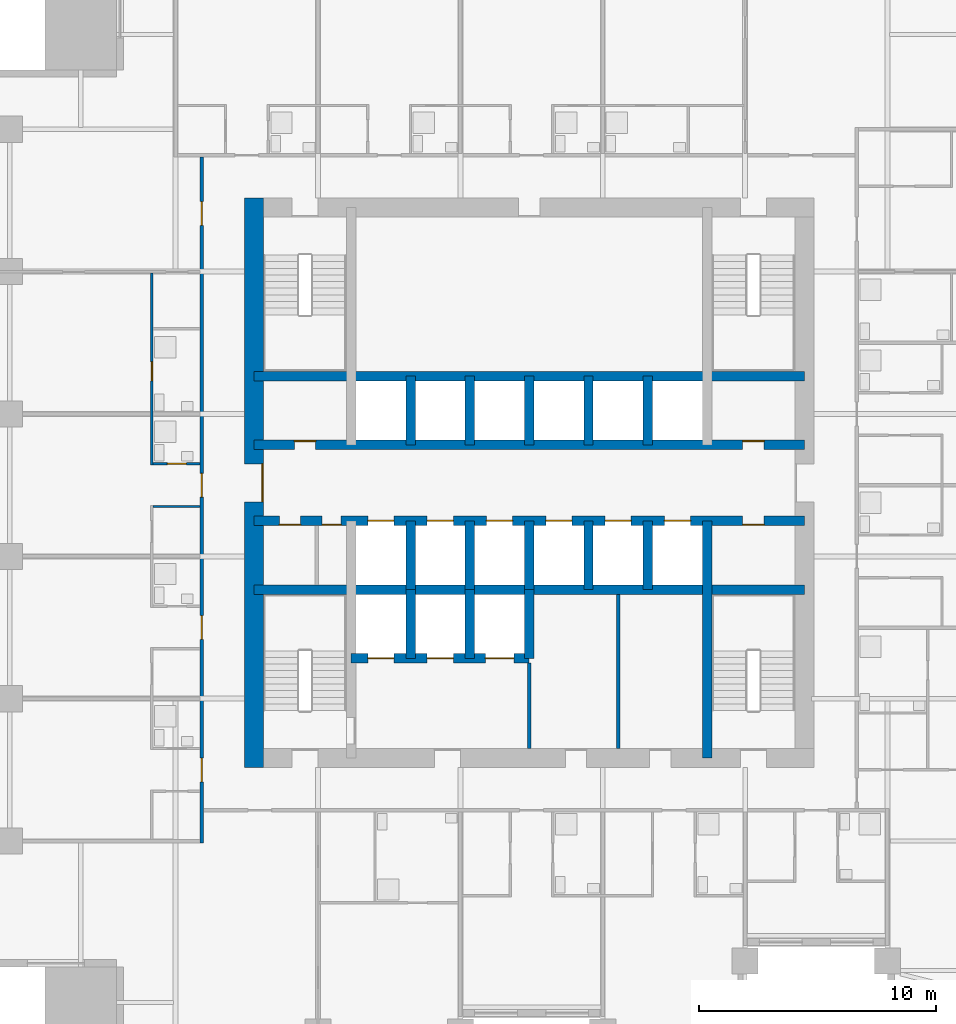
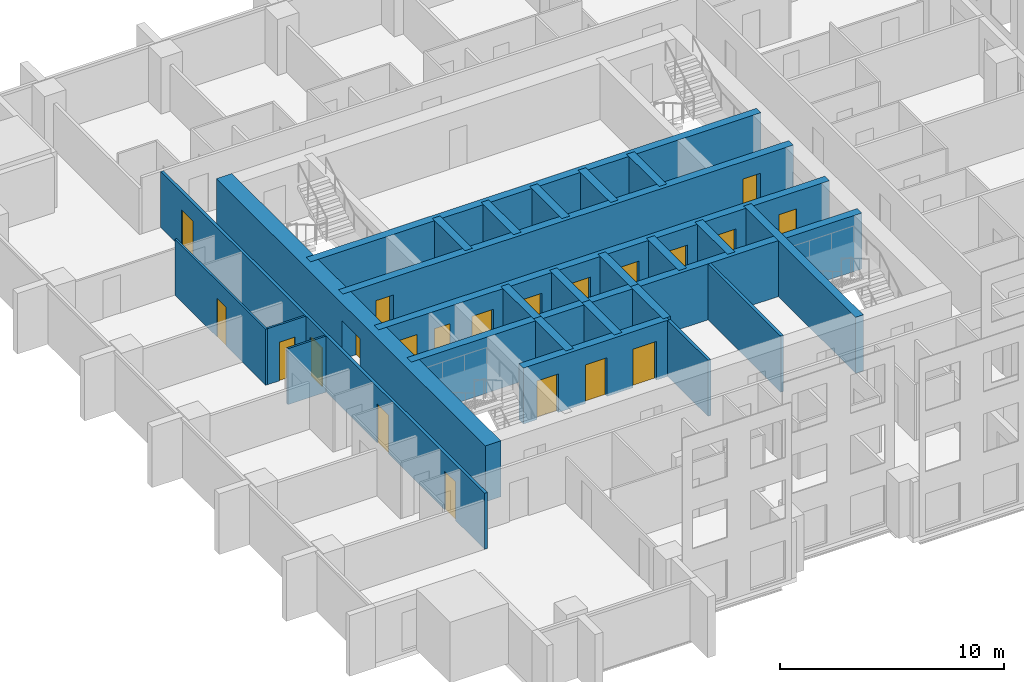
# One storey, part 5 of 12: 26 walls, 21 doors, 21 openings.
"""IFC4 building model written with IfcOpenShell, lengths in metres."""

from ifc_helpers import new_model, si_unit, direction, frame, frame_2d, origin, place, context, subcontext, project, spatial, rectangle, extrude, material, layer, layer_set, type_object, element, fill, save


model = new_model("IFC4")

# Units and contexts
model_context = context("Model", 3, precision=1e-05, world=origin(), true_north=direction((0.0, 1.0)))
body_context = subcontext(model_context, "Body", "Model", "MODEL_VIEW")
ifc_project = project(units=[si_unit("LENGTHUNIT", "METRE"), si_unit("AREAUNIT", "SQUARE_METRE"), si_unit("VOLUMEUNIT", "CUBIC_METRE"), si_unit("PLANEANGLEUNIT", "RADIAN"), si_unit("MASSUNIT", "GRAM", prefix="KILO")], contexts=[model_context])

# Site, building, storey
site_placement = place(None, origin())
site = spatial("IfcSite", under=ifc_project, at=site_placement, CompositionType="ELEMENT")
building_placement = place(site_placement, origin())
building = spatial("IfcBuilding", under=site, at=building_placement, Name="Amberfall Residences", CompositionType="ELEMENT")
storey_placement = place(building_placement, frame((0.0, 0.0, 88.60009765625)))
storey = spatial("IfcBuildingStorey", under=building, at=storey_placement, Name="L23", CompositionType="ELEMENT", Elevation=88.60009765625)

# Wall
ifc_material_1 = material(Name="Concrete C70", Category="concrete")
ifc_layer_1 = layer(ifc_material_1, 0.39990234375)
ifc_layer_set_1 = layer_set([ifc_layer_1], Name="Core wall 400 C70")
wall_type_1 = type_object("IfcWallType", Name="Core wall 400 C70", PredefinedType="SHEAR", material=ifc_layer_set_1)
wall_1_placement = place(storey_placement, frame((62.89990234375, 41.0, 0.0), z_axis=(0.0, 0.0, 1.0), x_axis=(1.0, 0.0, 0.0)))
element("IfcWall", 1, at=wall_1_placement, inside=storey, type_object=wall_type_1, Name="Core wall RW4 L23 H75", PredefinedType="SHEAR", context=body_context, shape_type="SweptSolid", body=[
    extrude(rectangle(XDim=23.2001953125, YDim=0.39990234375, at=frame_2d((11.60009765625, 0.0))), origin(), (0.0, 0.0, 1.0), 3.0498046875),
])

# Wall, openings, doors
wall_2_placement = place(storey_placement, frame((62.89990234375, 43.89990234375, 0.0), z_axis=(0.0, 0.0, 1.0), x_axis=(1.0, 0.0, 0.0)))
wall_2 = element("IfcWall", 2, at=wall_2_placement, inside=storey, type_object=wall_type_1, Name="Core wall RW4 L23 H104", PredefinedType="SHEAR", context=body_context, shape_type="SweptSolid", body=[
    extrude(rectangle(XDim=23.2001953125, YDim=0.39990234375, at=frame_2d((11.60009765625, 0.0))), origin(), (0.0, 0.0, 1.0), 3.0498046875),
])
opening_1_placement = place(wall_2_placement, frame((1.070068359375, 0.0, 0.0)))
opening_1 = element("IfcOpeningElement", 3, at=opening_1_placement, cuts=wall_2, Name="Opening RD1", PredefinedType="OPENING", context=body_context, shape_type="SweptSolid", body=[
    extrude(rectangle(XDim=0.89990234375, YDim=2.10009765625, at=frame_2d((0.449951171875, 1.050048828125))), frame((0.0, 0.2099609375, 0.0), z_axis=(0.0, -1.0, 0.0), x_axis=(1.0, 0.0, 0.0)), (0.0, 0.0, 1.0), 0.419921875),
])
opening_2_placement = place(wall_2_placement, frame((2.8701171875, 0.0, 0.0)))
opening_2 = element("IfcOpeningElement", 4, at=opening_2_placement, cuts=wall_2, Name="Opening RD2", PredefinedType="OPENING", context=body_context, shape_type="SweptSolid", body=[
    extrude(rectangle(XDim=0.800048828125, YDim=2.10009765625, at=frame_2d((0.39990234375, 1.050048828125))), frame((0.0, 0.2099609375, 0.0), z_axis=(0.0, -1.0, 0.0), x_axis=(1.0, 0.0, 0.0)), (0.0, 0.0, 1.0), 0.419921875),
])
opening_3_placement = place(wall_2_placement, frame((20.60009765625, 0.0, 0.0)))
opening_3 = element("IfcOpeningElement", 5, at=opening_3_placement, cuts=wall_2, Name="Opening RD1", PredefinedType="OPENING", context=body_context, shape_type="SweptSolid", body=[
    extrude(rectangle(XDim=0.89990234375, YDim=2.10009765625, at=frame_2d((0.449951171875, 1.050048828125))), frame((0.0, 0.2099609375, 0.0), z_axis=(0.0, -1.0, 0.0), x_axis=(1.0, 0.0, 0.0)), (0.0, 0.0, 1.0), 0.419921875),
])
opening_4_placement = place(wall_2_placement, frame((4.800048828125, 0.0, 0.0)))
opening_4 = element("IfcOpeningElement", 6, at=opening_4_placement, cuts=wall_2, Name="Opening LD1", PredefinedType="OPENING", context=body_context, shape_type="SweptSolid", body=[
    extrude(rectangle(XDim=1.10009765625, YDim=2.10009765625, at=frame_2d((0.550048828125, 1.050048828125))), frame((0.0, 0.2099609375, 0.0), z_axis=(0.0, -1.0, 0.0), x_axis=(1.0, 0.0, 0.0)), (0.0, 0.0, 1.0), 0.419921875),
])
opening_5_placement = place(wall_2_placement, frame((7.300048828125, 0.0, 0.0)))
opening_5 = element("IfcOpeningElement", 7, at=opening_5_placement, cuts=wall_2, Name="Opening LD1", PredefinedType="OPENING", context=body_context, shape_type="SweptSolid", body=[
    extrude(rectangle(XDim=1.10009765625, YDim=2.10009765625, at=frame_2d((0.550048828125, 1.050048828125))), frame((0.0, 0.2099609375, 0.0), z_axis=(0.0, -1.0, 0.0), x_axis=(1.0, 0.0, 0.0)), (0.0, 0.0, 1.0), 0.419921875),
])
opening_6_placement = place(wall_2_placement, frame((9.800048828125, 0.0, 0.0)))
opening_6 = element("IfcOpeningElement", 8, at=opening_6_placement, cuts=wall_2, Name="Opening LD1", PredefinedType="OPENING", context=body_context, shape_type="SweptSolid", body=[
    extrude(rectangle(XDim=1.10009765625, YDim=2.10009765625, at=frame_2d((0.550048828125, 1.050048828125))), frame((0.0, 0.2099609375, 0.0), z_axis=(0.0, -1.0, 0.0), x_axis=(1.0, 0.0, 0.0)), (0.0, 0.0, 1.0), 0.419921875),
])
opening_7_placement = place(wall_2_placement, frame((12.300048828125, 0.0, 0.0)))
opening_7 = element("IfcOpeningElement", 9, at=opening_7_placement, cuts=wall_2, Name="Opening LD1", PredefinedType="OPENING", context=body_context, shape_type="SweptSolid", body=[
    extrude(rectangle(XDim=1.10009765625, YDim=2.10009765625, at=frame_2d((0.550048828125, 1.050048828125))), frame((0.0, 0.2099609375, 0.0), z_axis=(0.0, -1.0, 0.0), x_axis=(1.0, 0.0, 0.0)), (0.0, 0.0, 1.0), 0.419921875),
])
opening_8_placement = place(wall_2_placement, frame((14.800048828125, 0.0, 0.0)))
opening_8 = element("IfcOpeningElement", 10, at=opening_8_placement, cuts=wall_2, Name="Opening LD1", PredefinedType="OPENING", context=body_context, shape_type="SweptSolid", body=[
    extrude(rectangle(XDim=1.10009765625, YDim=2.10009765625, at=frame_2d((0.550048828125, 1.050048828125))), frame((0.0, 0.2099609375, 0.0), z_axis=(0.0, -1.0, 0.0), x_axis=(1.0, 0.0, 0.0)), (0.0, 0.0, 1.0), 0.419921875),
])
opening_9_placement = place(wall_2_placement, frame((17.300048828125, 0.0, 0.0)))
opening_9 = element("IfcOpeningElement", 11, at=opening_9_placement, cuts=wall_2, Name="Opening LD1", PredefinedType="OPENING", context=body_context, shape_type="SweptSolid", body=[
    extrude(rectangle(XDim=1.10009765625, YDim=2.10009765625, at=frame_2d((0.550048828125, 1.050048828125))), frame((0.0, 0.2099609375, 0.0), z_axis=(0.0, -1.0, 0.0), x_axis=(1.0, 0.0, 0.0)), (0.0, 0.0, 1.0), 0.419921875),
])
ifc_material_2 = material(Name="Steel fire door set", Category="steel")
door_type_1 = type_object("IfcDoorType", Name="Lift landing door 1100 x 2100", OperationType="DOUBLE_DOOR_SLIDING", PredefinedType="DOOR", material=ifc_material_2)
door_1_placement = place(opening_4_placement, origin())
door_1 = element("IfcDoor", 12, at=door_1_placement, inside=storey, type_object=door_type_1, Name="Landing door LP1 L23", OperationType="DOUBLE_DOOR_SLIDING", OverallHeight=2.10009765625, OverallWidth=1.10009765625, PredefinedType="DOOR", context=body_context, shape_type="SweptSolid", body=[
    extrude(rectangle(XDim=1.10009765625, YDim=2.10009765625, at=frame_2d((0.550048828125, 1.050048828125))), frame((0.0, 0.02490234375, 0.0), z_axis=(0.0, -1.0, 0.0), x_axis=(1.0, 0.0, 0.0)), (0.0, 0.0, 1.0), 0.050048828125),
])
fill(opening_4, door_1)
door_2_placement = place(opening_5_placement, origin())
door_2 = element("IfcDoor", 13, at=door_2_placement, inside=storey, type_object=door_type_1, Name="Landing door LP2 L23", OperationType="DOUBLE_DOOR_SLIDING", OverallHeight=2.10009765625, OverallWidth=1.10009765625, PredefinedType="DOOR", context=body_context, shape_type="SweptSolid", body=[
    extrude(rectangle(XDim=1.10009765625, YDim=2.10009765625, at=frame_2d((0.550048828125, 1.050048828125))), frame((0.0, 0.02490234375, 0.0), z_axis=(0.0, -1.0, 0.0), x_axis=(1.0, 0.0, 0.0)), (0.0, 0.0, 1.0), 0.050048828125),
])
fill(opening_5, door_2)
door_3_placement = place(opening_6_placement, origin())
door_3 = element("IfcDoor", 14, at=door_3_placement, inside=storey, type_object=door_type_1, Name="Landing door LP3 L23", OperationType="DOUBLE_DOOR_SLIDING", OverallHeight=2.10009765625, OverallWidth=1.10009765625, PredefinedType="DOOR", context=body_context, shape_type="SweptSolid", body=[
    extrude(rectangle(XDim=1.10009765625, YDim=2.10009765625, at=frame_2d((0.550048828125, 1.050048828125))), frame((0.0, 0.02490234375, 0.0), z_axis=(0.0, -1.0, 0.0), x_axis=(1.0, 0.0, 0.0)), (0.0, 0.0, 1.0), 0.050048828125),
])
fill(opening_6, door_3)
door_4_placement = place(opening_7_placement, origin())
door_4 = element("IfcDoor", 15, at=door_4_placement, inside=storey, type_object=door_type_1, Name="Landing door LP4 L23", OperationType="DOUBLE_DOOR_SLIDING", OverallHeight=2.10009765625, OverallWidth=1.10009765625, PredefinedType="DOOR", context=body_context, shape_type="SweptSolid", body=[
    extrude(rectangle(XDim=1.10009765625, YDim=2.10009765625, at=frame_2d((0.550048828125, 1.050048828125))), frame((0.0, 0.02490234375, 0.0), z_axis=(0.0, -1.0, 0.0), x_axis=(1.0, 0.0, 0.0)), (0.0, 0.0, 1.0), 0.050048828125),
])
fill(opening_7, door_4)
door_5_placement = place(opening_8_placement, origin())
door_5 = element("IfcDoor", 16, at=door_5_placement, inside=storey, type_object=door_type_1, Name="Landing door LP5 L23", OperationType="DOUBLE_DOOR_SLIDING", OverallHeight=2.10009765625, OverallWidth=1.10009765625, PredefinedType="DOOR", context=body_context, shape_type="SweptSolid", body=[
    extrude(rectangle(XDim=1.10009765625, YDim=2.10009765625, at=frame_2d((0.550048828125, 1.050048828125))), frame((0.0, 0.02490234375, 0.0), z_axis=(0.0, -1.0, 0.0), x_axis=(1.0, 0.0, 0.0)), (0.0, 0.0, 1.0), 0.050048828125),
])
fill(opening_8, door_5)
door_6_placement = place(opening_9_placement, origin())
door_6 = element("IfcDoor", 17, at=door_6_placement, inside=storey, type_object=door_type_1, Name="Landing door LP6 L23", OperationType="DOUBLE_DOOR_SLIDING", OverallHeight=2.10009765625, OverallWidth=1.10009765625, PredefinedType="DOOR", context=body_context, shape_type="SweptSolid", body=[
    extrude(rectangle(XDim=1.10009765625, YDim=2.10009765625, at=frame_2d((0.550048828125, 1.050048828125))), frame((0.0, 0.02490234375, 0.0), z_axis=(0.0, -1.0, 0.0), x_axis=(1.0, 0.0, 0.0)), (0.0, 0.0, 1.0), 0.050048828125),
])
fill(opening_9, door_6)
door_type_2 = type_object("IfcDoorType", Name="Service room door 800 x 2100", OperationType="SINGLE_SWING_LEFT", PredefinedType="DOOR", material=ifc_material_2)
door_7_placement = place(opening_2_placement, origin())
door_7 = element("IfcDoor", 18, at=door_7_placement, inside=storey, type_object=door_type_2, Name="RD2 L23", OperationType="SINGLE_SWING_RIGHT", OverallHeight=2.10009765625, OverallWidth=0.800048828125, PredefinedType="DOOR", context=body_context, shape_type="SweptSolid", body=[
    extrude(rectangle(XDim=0.800048828125, YDim=2.10009765625, at=frame_2d((0.39990234375, 1.050048828125))), frame((0.0, -0.1376953125, 0.0), z_axis=(0.0, -1.0, 0.0), x_axis=(1.0, 0.0, 0.0)), (0.0, 0.0, 1.0), 0.050048828125),
])
fill(opening_2, door_7)
door_type_3 = type_object("IfcDoorType", Name="Service room door 900 x 2100", OperationType="SINGLE_SWING_LEFT", PredefinedType="DOOR", material=ifc_material_2)
door_8_placement = place(opening_1_placement, origin())
door_8 = element("IfcDoor", 19, at=door_8_placement, inside=storey, type_object=door_type_3, Name="RD1 L23", OperationType="SINGLE_SWING_LEFT", OverallHeight=2.10009765625, OverallWidth=0.89990234375, PredefinedType="DOOR", context=body_context, shape_type="SweptSolid", body=[
    extrude(rectangle(XDim=0.89990234375, YDim=2.10009765625, at=frame_2d((0.449951171875, 1.050048828125))), frame((0.0, -0.1376953125, 0.0), z_axis=(0.0, -1.0, 0.0), x_axis=(1.0, 0.0, 0.0)), (0.0, 0.0, 1.0), 0.050048828125),
])
fill(opening_1, door_8)
door_9_placement = place(opening_3_placement, origin())
door_9 = element("IfcDoor", 20, at=door_9_placement, inside=storey, type_object=door_type_3, Name="RD1 L23", OperationType="SINGLE_SWING_LEFT", OverallHeight=2.10009765625, OverallWidth=0.89990234375, PredefinedType="DOOR", context=body_context, shape_type="SweptSolid", body=[
    extrude(rectangle(XDim=0.89990234375, YDim=2.10009765625, at=frame_2d((0.449951171875, 1.050048828125))), frame((0.0, -0.1376953125, 0.0), z_axis=(0.0, -1.0, 0.0), x_axis=(1.0, 0.0, 0.0)), (0.0, 0.0, 1.0), 0.050048828125),
])
fill(opening_3, door_9)

wall_3_placement = place(storey_placement, frame((62.89990234375, 47.10009765625, 0.0), z_axis=(0.0, 0.0, 1.0), x_axis=(1.0, 0.0, 0.0)))
wall_3 = element("IfcWall", 21, at=wall_3_placement, inside=storey, type_object=wall_type_1, Name="Core wall RW4 L23 H136", PredefinedType="SHEAR", context=body_context, shape_type="SweptSolid", body=[
    extrude(rectangle(XDim=23.2001953125, YDim=0.39990234375, at=frame_2d((11.60009765625, 0.0))), origin(), (0.0, 0.0, 1.0), 3.0498046875),
])
opening_10_placement = place(wall_3_placement, frame((1.699951171875, 0.0, 0.0)))
opening_10 = element("IfcOpeningElement", 22, at=opening_10_placement, cuts=wall_3, Name="Opening RD1", PredefinedType="OPENING", context=body_context, shape_type="SweptSolid", body=[
    extrude(rectangle(XDim=0.89990234375, YDim=2.10009765625, at=frame_2d((0.449951171875, 1.050048828125))), frame((0.0, 0.2099609375, 0.0), z_axis=(0.0, -1.0, 0.0), x_axis=(1.0, 0.0, 0.0)), (0.0, 0.0, 1.0), 0.419921875),
])
opening_11_placement = place(wall_3_placement, frame((20.60009765625, 0.0, 0.0)))
opening_11 = element("IfcOpeningElement", 23, at=opening_11_placement, cuts=wall_3, Name="Opening RD1", PredefinedType="OPENING", context=body_context, shape_type="SweptSolid", body=[
    extrude(rectangle(XDim=0.89990234375, YDim=2.10009765625, at=frame_2d((0.449951171875, 1.050048828125))), frame((0.0, 0.2099609375, 0.0), z_axis=(0.0, -1.0, 0.0), x_axis=(1.0, 0.0, 0.0)), (0.0, 0.0, 1.0), 0.419921875),
])
door_10_placement = place(opening_10_placement, origin())
door_10 = element("IfcDoor", 24, at=door_10_placement, inside=storey, type_object=door_type_3, Name="RD1 L23", OperationType="SINGLE_SWING_LEFT", OverallHeight=2.10009765625, OverallWidth=0.89990234375, PredefinedType="DOOR", context=body_context, shape_type="SweptSolid", body=[
    extrude(rectangle(XDim=0.89990234375, YDim=2.10009765625, at=frame_2d((0.449951171875, 1.050048828125))), frame((0.0, 0.1875, 0.0), z_axis=(0.0, -1.0, 0.0), x_axis=(1.0, 0.0, 0.0)), (0.0, 0.0, 1.0), 0.050048828125),
])
fill(opening_10, door_10)
door_11_placement = place(opening_11_placement, origin())
door_11 = element("IfcDoor", 25, at=door_11_placement, inside=storey, type_object=door_type_3, Name="RD1 L23", OperationType="SINGLE_SWING_LEFT", OverallHeight=2.10009765625, OverallWidth=0.89990234375, PredefinedType="DOOR", context=body_context, shape_type="SweptSolid", body=[
    extrude(rectangle(XDim=0.89990234375, YDim=2.10009765625, at=frame_2d((0.449951171875, 1.050048828125))), frame((0.0, 0.1875, 0.0), z_axis=(0.0, -1.0, 0.0), x_axis=(1.0, 0.0, 0.0)), (0.0, 0.0, 1.0), 0.050048828125),
])
fill(opening_11, door_11)

# Walls
wall_4_placement = place(storey_placement, frame((62.89990234375, 50.0, 0.0), z_axis=(0.0, 0.0, 1.0), x_axis=(1.0, 0.0, 0.0)))
element("IfcWall", 26, at=wall_4_placement, inside=storey, type_object=wall_type_1, Name="Core wall RW4 L23 H165", PredefinedType="SHEAR", context=body_context, shape_type="SweptSolid", body=[
    extrude(rectangle(XDim=23.2001953125, YDim=0.39990234375, at=frame_2d((11.60009765625, 0.0))), origin(), (0.0, 0.0, 1.0), 3.0498046875),
])
wall_5_placement = place(storey_placement, frame((82.0, 33.89990234375, 0.0), z_axis=(0.0, 0.0, 1.0), x_axis=(0.0, 1.0, 0.0)))
element("IfcWall", 27, at=wall_5_placement, inside=storey, type_object=wall_type_1, Name="Core wall RW4 L23 V195S", PredefinedType="SHEAR", context=body_context, shape_type="SweptSolid", body=[
    extrude(rectangle(XDim=10.0, YDim=0.39990234375, at=frame_2d((5.0, 0.0))), origin(), (0.0, 0.0, 1.0), 3.0498046875),
])
for number, where, z_axis, x_axis, name in (
    (28, (69.5, 41.0, 0.0), (0.0, 0.0, 1.0), (0.0, 1.0, 0.0), "Core wall RW4 L23 LPD1"),
    (29, (69.5, 47.10009765625, 0.0), (0.0, 0.0, 1.0), (0.0, 1.0, 0.0), "Core wall RW4 L23 HPD1"),
    (30, (72.0, 41.0, 0.0), (0.0, 0.0, 1.0), (0.0, 1.0, 0.0), "Core wall RW4 L23 LPD2"),
    (31, (72.0, 47.10009765625, 0.0), (0.0, 0.0, 1.0), (0.0, 1.0, 0.0), "Core wall RW4 L23 HPD2"),
    (32, (74.5, 41.0, 0.0), (0.0, 0.0, 1.0), (0.0, 1.0, 0.0), "Core wall RW4 L23 LPD3"),
    (33, (74.5, 47.10009765625, 0.0), (0.0, 0.0, 1.0), (0.0, 1.0, 0.0), "Core wall RW4 L23 HPD3"),
    (34, (77.0, 41.0, 0.0), (0.0, 0.0, 1.0), (0.0, 1.0, 0.0), "Core wall RW4 L23 LPD4"),
    (35, (77.0, 47.10009765625, 0.0), (0.0, 0.0, 1.0), (0.0, 1.0, 0.0), "Core wall RW4 L23 HPD4"),
    (36, (79.5, 41.0, 0.0), (0.0, 0.0, 1.0), (0.0, 1.0, 0.0), "Core wall RW4 L23 LPD5"),
    (37, (79.5, 47.10009765625, 0.0), (0.0, 0.0, 1.0), (0.0, 1.0, 0.0), "Core wall RW4 L23 HPD5"),
):
    element("IfcWall", number, at=place(storey_placement, frame(where, z_axis=z_axis, x_axis=x_axis)), inside=storey, type_object=wall_type_1, Name=name, PredefinedType="SHEAR", context=body_context, shape_type="SweptSolid", body=[
        extrude(rectangle(XDim=2.89990234375, YDim=0.39990234375, at=frame_2d((1.449951171875, 0.0))), origin(), (0.0, 0.0, 1.0), 3.0498046875),
    ])

# Wall, openings, doors
wall_6_placement = place(storey_placement, frame((67.0, 38.10009765625, 0.0), z_axis=(0.0, 0.0, 1.0), x_axis=(1.0, 0.0, 0.0)))
wall_6 = element("IfcWall", 38, at=wall_6_placement, inside=storey, type_object=wall_type_1, Name="Core wall RW4 L23 FFF", PredefinedType="SHEAR", context=body_context, shape_type="SweptSolid", body=[
    extrude(rectangle(XDim=7.5, YDim=0.39990234375, at=frame_2d((3.75, 0.0))), origin(), (0.0, 0.0, 1.0), 3.0498046875),
])
opening_12_placement = place(wall_6_placement, frame((0.699951171875, 0.0, 0.0)))
opening_12 = element("IfcOpeningElement", 39, at=opening_12_placement, cuts=wall_6, Name="Opening LD2", PredefinedType="OPENING", context=body_context, shape_type="SweptSolid", body=[
    extrude(rectangle(XDim=1.10009765625, YDim=2.10009765625, at=frame_2d((0.550048828125, 1.050048828125))), frame((0.0, 0.2099609375, 0.0), z_axis=(0.0, -1.0, 0.0), x_axis=(1.0, 0.0, 0.0)), (0.0, 0.0, 1.0), 0.419921875),
])
opening_13_placement = place(wall_6_placement, frame((3.199951171875, 0.0, 0.0)))
opening_13 = element("IfcOpeningElement", 40, at=opening_13_placement, cuts=wall_6, Name="Opening LD2", PredefinedType="OPENING", context=body_context, shape_type="SweptSolid", body=[
    extrude(rectangle(XDim=1.10009765625, YDim=2.10009765625, at=frame_2d((0.550048828125, 1.050048828125))), frame((0.0, 0.2099609375, 0.0), z_axis=(0.0, -1.0, 0.0), x_axis=(1.0, 0.0, 0.0)), (0.0, 0.0, 1.0), 0.419921875),
])
opening_14_placement = place(wall_6_placement, frame((5.64990234375, 0.0, 0.0)))
opening_14 = element("IfcOpeningElement", 41, at=opening_14_placement, cuts=wall_6, Name="Opening LD3", PredefinedType="OPENING", context=body_context, shape_type="SweptSolid", body=[
    extrude(rectangle(XDim=1.199951171875, YDim=2.10009765625, at=frame_2d((0.60009765625, 1.050048828125))), frame((0.0, 0.2099609375, 0.0), z_axis=(0.0, -1.0, 0.0), x_axis=(1.0, 0.0, 0.0)), (0.0, 0.0, 1.0), 0.419921875),
])
door_type_4 = type_object("IfcDoorType", Name="Firefighting lift landing door 1100 x 2100", OperationType="DOUBLE_DOOR_SLIDING", PredefinedType="DOOR", material=ifc_material_2)
door_12_placement = place(opening_12_placement, origin())
door_12 = element("IfcDoor", 42, at=door_12_placement, inside=storey, type_object=door_type_4, Name="Landing door FF1 L23", OperationType="DOUBLE_DOOR_SLIDING", OverallHeight=2.10009765625, OverallWidth=1.10009765625, PredefinedType="DOOR", context=body_context, shape_type="SweptSolid", body=[
    extrude(rectangle(XDim=1.10009765625, YDim=2.10009765625, at=frame_2d((0.550048828125, 1.050048828125))), frame((0.0, 0.02490234375, 0.0), z_axis=(0.0, -1.0, 0.0), x_axis=(1.0, 0.0, 0.0)), (0.0, 0.0, 1.0), 0.050048828125),
])
fill(opening_12, door_12)
door_13_placement = place(opening_13_placement, origin())
door_13 = element("IfcDoor", 43, at=door_13_placement, inside=storey, type_object=door_type_4, Name="Landing door FF2 L23", OperationType="DOUBLE_DOOR_SLIDING", OverallHeight=2.10009765625, OverallWidth=1.10009765625, PredefinedType="DOOR", context=body_context, shape_type="SweptSolid", body=[
    extrude(rectangle(XDim=1.10009765625, YDim=2.10009765625, at=frame_2d((0.550048828125, 1.050048828125))), frame((0.0, 0.02490234375, 0.0), z_axis=(0.0, -1.0, 0.0), x_axis=(1.0, 0.0, 0.0)), (0.0, 0.0, 1.0), 0.050048828125),
])
fill(opening_13, door_13)
door_type_5 = type_object("IfcDoorType", Name="Service lift landing door 1200 x 2100", OperationType="DOUBLE_DOOR_SLIDING", PredefinedType="DOOR", material=ifc_material_2)
door_14_placement = place(opening_14_placement, origin())
door_14 = element("IfcDoor", 44, at=door_14_placement, inside=storey, type_object=door_type_5, Name="Landing door SL1 L23", OperationType="DOUBLE_DOOR_SLIDING", OverallHeight=2.10009765625, OverallWidth=1.199951171875, PredefinedType="DOOR", context=body_context, shape_type="SweptSolid", body=[
    extrude(rectangle(XDim=1.199951171875, YDim=2.10009765625, at=frame_2d((0.60009765625, 1.050048828125))), frame((0.0, 0.02490234375, 0.0), z_axis=(0.0, -1.0, 0.0), x_axis=(1.0, 0.0, 0.0)), (0.0, 0.0, 1.0), 0.050048828125),
])
fill(opening_14, door_14)

# Walls
for number, where, z_axis, x_axis, name in (
    (45, (69.5, 38.10009765625, 0.0), (0.0, 0.0, 1.0), (0.0, 1.0, 0.0), "Core wall RW4 L23 FFD1"),
    (46, (72.0, 38.10009765625, 0.0), (0.0, 0.0, 1.0), (0.0, 1.0, 0.0), "Core wall RW4 L23 FFD2"),
    (47, (74.5, 38.10009765625, 0.0), (0.0, 0.0, 1.0), (0.0, 1.0, 0.0), "Core wall RW4 L23 FFD3"),
):
    element("IfcWall", number, at=place(storey_placement, frame(where, z_axis=z_axis, x_axis=x_axis)), inside=storey, type_object=wall_type_1, Name=name, PredefinedType="SHEAR", context=body_context, shape_type="SweptSolid", body=[
        extrude(rectangle(XDim=2.89990234375, YDim=0.39990234375, at=frame_2d((1.449951171875, 0.0))), origin(), (0.0, 0.0, 1.0), 3.0498046875),
    ])

# Wall, opening, door
ifc_layer_2 = layer(ifc_material_1, 0.800048828125)
ifc_layer_set_2 = layer_set([ifc_layer_2], Name="Core wall 800 C70")
wall_type_2 = type_object("IfcWallType", Name="Core wall 800 C70", PredefinedType="SHEAR", material=ifc_layer_set_2)
wall_7_placement = place(storey_placement, frame((62.89990234375, 33.5, 0.0), z_axis=(0.0, 0.0, 1.0), x_axis=(0.0, 1.0, 0.0)))
wall_7 = element("IfcWall", 48, at=wall_7_placement, inside=storey, type_object=wall_type_2, Name="Core wall RW3 L23 OW", PredefinedType="SHEAR", context=body_context, shape_type="SweptSolid", body=[
    extrude(rectangle(XDim=24.0, YDim=0.800048828125, at=frame_2d((12.0, 0.0))), origin(), (0.0, 0.0, 1.0), 3.0498046875),
])
opening_15_placement = place(wall_7_placement, frame((11.199951171875, 0.0, 0.0)))
opening_15 = element("IfcOpeningElement", 49, at=opening_15_placement, cuts=wall_7, Name="Opening LB1", PredefinedType="OPENING", context=body_context, shape_type="SweptSolid", body=[
    extrude(rectangle(XDim=1.60009765625, YDim=2.10009765625, at=frame_2d((0.800048828125, 1.050048828125))), frame((0.0, 0.409912109375, 0.0), z_axis=(0.0, -1.0, 0.0), x_axis=(1.0, 0.0, 0.0)), (0.0, 0.0, 1.0), 0.820068359375),
])
door_type_6 = type_object("IfcDoorType", Name="Lift lobby double door 1600 x 2100", OperationType="DOUBLE_DOOR_SINGLE_SWING", PredefinedType="DOOR", material=ifc_material_2)
door_15_placement = place(opening_15_placement, origin())
door_15 = element("IfcDoor", 50, at=door_15_placement, inside=storey, type_object=door_type_6, Name="LB1 L23", OperationType="DOUBLE_DOOR_SINGLE_SWING", OverallHeight=2.10009765625, OverallWidth=1.60009765625, PredefinedType="DOOR", context=body_context, shape_type="SweptSolid", body=[
    extrude(rectangle(XDim=1.60009765625, YDim=2.10009765625, at=frame_2d((0.800048828125, 1.050048828125))), frame((0.0, -0.33740234375, 0.0), z_axis=(0.0, -1.0, 0.0), x_axis=(1.0, 0.0, 0.0)), (0.0, 0.0, 1.0), 0.050048828125),
])
fill(opening_15, door_15)

ifc_material_3 = material(Name="Gypsum board on metal stud")
ifc_layer_3 = layer(ifc_material_3, 0.10009765625)
ifc_layer_set_3 = layer_set([ifc_layer_3], Name="Flat partition 100")
wall_type_3 = type_object("IfcWallType", Name="Flat partition 100", PredefinedType="PARTITIONING", material=ifc_layer_set_3)
wall_8_placement = place(storey_placement, frame((58.60009765625, 54.35009765625, 0.0), z_axis=(0.0, 0.0, 1.0), x_axis=(0.0, -1.0, 0.0)))
wall_8 = element("IfcWall", 51, at=wall_8_placement, inside=storey, type_object=wall_type_3, Name="Partition 004", PredefinedType="PARTITIONING", context=body_context, shape_type="SweptSolid", body=[
    extrude(rectangle(XDim=8.10009765625, YDim=0.10009765625, at=frame_2d((4.050048828125, 0.0))), origin(), (0.0, 0.0, 1.0), 3.0498046875),
])
opening_16_placement = place(wall_8_placement, frame((3.75, 0.0, 0.0)))
opening_16 = element("IfcOpeningElement", 52, at=opening_16_placement, cuts=wall_8, Name="Opening D42", PredefinedType="OPENING", context=body_context, shape_type="SweptSolid", body=[
    extrude(rectangle(XDim=0.800048828125, YDim=2.10009765625, at=frame_2d((0.39990234375, 1.050048828125))), frame((0.0, 0.06005859375, 0.0), z_axis=(0.0, -1.0, 0.0), x_axis=(1.0, 0.0, 0.0)), (0.0, 0.0, 1.0), 0.1201171875),
])
ifc_material_4 = material(Name="Timber", Category="wood")
door_type_7 = type_object("IfcDoorType", Name="Bathroom door 800 x 2100", OperationType="SINGLE_SWING_LEFT", PredefinedType="DOOR", material=ifc_material_4)
door_16_placement = place(opening_16_placement, origin())
door_16 = element("IfcDoor", 53, at=door_16_placement, inside=storey, type_object=door_type_7, Name="Door 2316 bath1", OperationType="SINGLE_SWING_LEFT", OverallHeight=2.10009765625, OverallWidth=0.800048828125, PredefinedType="DOOR", context=body_context, shape_type="SweptSolid", body=[
    extrude(rectangle(XDim=0.800048828125, YDim=2.10009765625, at=frame_2d((0.39990234375, 1.050048828125))), frame((0.0, 0.02490234375, 0.0), z_axis=(0.0, -1.0, 0.0), x_axis=(1.0, 0.0, 0.0)), (0.0, 0.0, 1.0), 0.050048828125),
])
fill(opening_16, door_16)

wall_9_placement = place(storey_placement, frame((58.64990234375, 46.300048828125, 0.0), z_axis=(0.0, 0.0, 1.0), x_axis=(1.0, 0.0, 0.0)))
wall_9 = element("IfcWall", 54, at=wall_9_placement, inside=storey, type_object=wall_type_3, Name="Partition 037", PredefinedType="PARTITIONING", context=body_context, shape_type="SweptSolid", body=[
    extrude(rectangle(XDim=1.97509765625, YDim=0.10009765625, at=frame_2d((0.987548828125, 0.0))), origin(), (0.0, 0.0, 1.0), 3.0498046875),
])
opening_17_placement = place(wall_9_placement, frame((0.60009765625, 0.0, 0.0)))
opening_17 = element("IfcOpeningElement", 55, at=opening_17_placement, cuts=wall_9, Name="Opening D42", PredefinedType="OPENING", context=body_context, shape_type="SweptSolid", body=[
    extrude(rectangle(XDim=0.800048828125, YDim=2.10009765625, at=frame_2d((0.39990234375, 1.050048828125))), frame((0.0, 0.06005859375, 0.0), z_axis=(0.0, -1.0, 0.0), x_axis=(1.0, 0.0, 0.0)), (0.0, 0.0, 1.0), 0.1201171875),
])
door_17_placement = place(opening_17_placement, origin())
door_17 = element("IfcDoor", 56, at=door_17_placement, inside=storey, type_object=door_type_7, Name="Door 2315 bath1", OperationType="SINGLE_SWING_LEFT", OverallHeight=2.10009765625, OverallWidth=0.800048828125, PredefinedType="DOOR", context=body_context, shape_type="SweptSolid", body=[
    extrude(rectangle(XDim=0.800048828125, YDim=2.10009765625, at=frame_2d((0.39990234375, 1.050048828125))), frame((0.0, 0.02490234375, 0.0), z_axis=(0.0, -1.0, 0.0), x_axis=(1.0, 0.0, 0.0)), (0.0, 0.0, 1.0), 0.050048828125),
])
fill(opening_17, door_17)

# Wall
wall_10_placement = place(storey_placement, frame((58.64990234375, 44.5, 0.0), z_axis=(0.0, 0.0, 1.0), x_axis=(1.0, 0.0, 0.0)))
element("IfcWall", 57, at=wall_10_placement, inside=storey, type_object=wall_type_3, Name="Partition 038", PredefinedType="PARTITIONING", context=body_context, shape_type="SweptSolid", body=[
    extrude(rectangle(XDim=1.97509765625, YDim=0.10009765625, at=frame_2d((0.987548828125, 0.0))), origin(), (0.0, 0.0, 1.0), 3.0498046875),
])

# Wall, openings, doors
ifc_material_5 = material(Name="Blockwork, plastered", Category="masonry")
ifc_layer_4 = layer(ifc_material_5, 0.14990234375)
ifc_layer_set_4 = layer_set([ifc_layer_4], Name="Flat separating wall 150")
wall_type_4 = type_object("IfcWallType", Name="Flat separating wall 150", PredefinedType="PARTITIONING", material=ifc_layer_set_4)
wall_11_placement = place(storey_placement, frame((60.699951171875, 30.324951171875, 0.0), z_axis=(0.0, 0.0, 1.0), x_axis=(0.0, 1.0, 0.0)))
wall_11 = element("IfcWall", 58, at=wall_11_placement, inside=storey, type_object=wall_type_4, Name="Separating wall 054", PredefinedType="PARTITIONING", context=body_context, shape_type="SweptSolid", body=[
    extrude(rectangle(XDim=28.900146484375, YDim=0.14990234375, at=frame_2d((14.4501953125, 0.0))), origin(), (0.0, 0.0, 1.0), 3.0498046875),
])
opening_18_placement = place(wall_11_placement, frame((2.574951171875, 0.0, 0.0)))
opening_18 = element("IfcOpeningElement", 59, at=opening_18_placement, cuts=wall_11, Name="Opening D40", PredefinedType="OPENING", context=body_context, shape_type="SweptSolid", body=[
    extrude(rectangle(XDim=1.0, YDim=2.10009765625, at=frame_2d((0.5, 1.050048828125))), frame((0.0, 0.0849609375, 0.0), z_axis=(0.0, -1.0, 0.0), x_axis=(1.0, 0.0, 0.0)), (0.0, 0.0, 1.0), 0.169921875),
])
opening_19_placement = place(wall_11_placement, frame((8.574951171875, 0.0, 0.0)))
opening_19 = element("IfcOpeningElement", 60, at=opening_19_placement, cuts=wall_11, Name="Opening D40", PredefinedType="OPENING", context=body_context, shape_type="SweptSolid", body=[
    extrude(rectangle(XDim=1.0, YDim=2.10009765625, at=frame_2d((0.5, 1.050048828125))), frame((0.0, 0.0849609375, 0.0), z_axis=(0.0, -1.0, 0.0), x_axis=(1.0, 0.0, 0.0)), (0.0, 0.0, 1.0), 0.169921875),
])
opening_20_placement = place(wall_11_placement, frame((14.574951171875, 0.0, 0.0)))
opening_20 = element("IfcOpeningElement", 61, at=opening_20_placement, cuts=wall_11, Name="Opening D40", PredefinedType="OPENING", context=body_context, shape_type="SweptSolid", body=[
    extrude(rectangle(XDim=1.0, YDim=2.10009765625, at=frame_2d((0.5, 1.050048828125))), frame((0.0, 0.0849609375, 0.0), z_axis=(0.0, -1.0, 0.0), x_axis=(1.0, 0.0, 0.0)), (0.0, 0.0, 1.0), 0.169921875),
])
opening_21_placement = place(wall_11_placement, frame((26.02490234375, 0.0, 0.0)))
opening_21 = element("IfcOpeningElement", 62, at=opening_21_placement, cuts=wall_11, Name="Opening D40", PredefinedType="OPENING", context=body_context, shape_type="SweptSolid", body=[
    extrude(rectangle(XDim=1.0, YDim=2.10009765625, at=frame_2d((0.5, 1.050048828125))), frame((0.0, 0.0849609375, 0.0), z_axis=(0.0, -1.0, 0.0), x_axis=(1.0, 0.0, 0.0)), (0.0, 0.0, 1.0), 0.169921875),
])
ifc_material_6 = material(Name="Timber, fire-rated", Category="wood")
door_type_8 = type_object("IfcDoorType", Name="Flat entrance door FD60 1000 x 2100", OperationType="SINGLE_SWING_LEFT", PredefinedType="DOOR", material=ifc_material_6)
door_18_placement = place(opening_18_placement, origin())
door_18 = element("IfcDoor", 63, at=door_18_placement, inside=storey, type_object=door_type_8, Name="Door 2313 entrance", OperationType="SINGLE_SWING_LEFT", OverallHeight=2.10009765625, OverallWidth=1.0, PredefinedType="DOOR", context=body_context, shape_type="SweptSolid", body=[
    extrude(rectangle(XDim=1.0, YDim=2.10009765625, at=frame_2d((0.5, 1.050048828125))), frame((0.0, 0.02490234375, 0.0), z_axis=(0.0, -1.0, 0.0), x_axis=(1.0, 0.0, 0.0)), (0.0, 0.0, 1.0), 0.050048828125),
])
fill(opening_18, door_18)
door_19_placement = place(opening_19_placement, origin())
door_19 = element("IfcDoor", 64, at=door_19_placement, inside=storey, type_object=door_type_8, Name="Door 2314 entrance", OperationType="SINGLE_SWING_LEFT", OverallHeight=2.10009765625, OverallWidth=1.0, PredefinedType="DOOR", context=body_context, shape_type="SweptSolid", body=[
    extrude(rectangle(XDim=1.0, YDim=2.10009765625, at=frame_2d((0.5, 1.050048828125))), frame((0.0, 0.02490234375, 0.0), z_axis=(0.0, -1.0, 0.0), x_axis=(1.0, 0.0, 0.0)), (0.0, 0.0, 1.0), 0.050048828125),
])
fill(opening_19, door_19)
door_20_placement = place(opening_20_placement, origin())
door_20 = element("IfcDoor", 65, at=door_20_placement, inside=storey, type_object=door_type_8, Name="Door 2315 entrance", OperationType="SINGLE_SWING_LEFT", OverallHeight=2.10009765625, OverallWidth=1.0, PredefinedType="DOOR", context=body_context, shape_type="SweptSolid", body=[
    extrude(rectangle(XDim=1.0, YDim=2.10009765625, at=frame_2d((0.5, 1.050048828125))), frame((0.0, 0.02490234375, 0.0), z_axis=(0.0, -1.0, 0.0), x_axis=(1.0, 0.0, 0.0)), (0.0, 0.0, 1.0), 0.050048828125),
])
fill(opening_20, door_20)
door_21_placement = place(opening_21_placement, origin())
door_21 = element("IfcDoor", 66, at=door_21_placement, inside=storey, type_object=door_type_8, Name="Door 2316 entrance", OperationType="SINGLE_SWING_LEFT", OverallHeight=2.10009765625, OverallWidth=1.0, PredefinedType="DOOR", context=body_context, shape_type="SweptSolid", body=[
    extrude(rectangle(XDim=1.0, YDim=2.10009765625, at=frame_2d((0.5, 1.050048828125))), frame((0.0, 0.02490234375, 0.0), z_axis=(0.0, -1.0, 0.0), x_axis=(1.0, 0.0, 0.0)), (0.0, 0.0, 1.0), 0.050048828125),
])
fill(opening_21, door_21)

# Walls
ifc_material_7 = material(Name="Concrete blockwork", Category="masonry")
ifc_layer_5 = layer(ifc_material_7, 0.14990234375)
ifc_layer_set_5 = layer_set([ifc_layer_5], Name="Riser wall 150")
wall_type_5 = type_object("IfcWallType", Name="Riser wall 150", PredefinedType="PLUMBINGWALL", material=ifc_layer_set_5)
wall_12_placement = place(storey_placement, frame((74.5, 34.300048828125, 0.0), z_axis=(0.0, 0.0, 1.0), x_axis=(0.0, 1.0, 0.0)))
element("IfcWall", 67, at=wall_12_placement, inside=storey, type_object=wall_type_5, Name="L23 core wall PX", PredefinedType="PLUMBINGWALL", context=body_context, shape_type="SweptSolid", body=[
    extrude(rectangle(XDim=3.599853515625, YDim=0.14990234375, at=frame_2d((1.7998046875, 0.0))), origin(), (0.0, 0.0, 1.0), 3.0498046875),
])
wall_13_placement = place(storey_placement, frame((78.25, 34.300048828125, 0.0), z_axis=(0.0, 0.0, 1.0), x_axis=(0.0, 1.0, 0.0)))
element("IfcWall", 68, at=wall_13_placement, inside=storey, type_object=wall_type_5, Name="L23 core wall E0", PredefinedType="PLUMBINGWALL", context=body_context, shape_type="SweptSolid", body=[
    extrude(rectangle(XDim=6.5, YDim=0.14990234375, at=frame_2d((3.25, 0.0))), origin(), (0.0, 0.0, 1.0), 3.0498046875),
])

save(model, "model.ifc")
